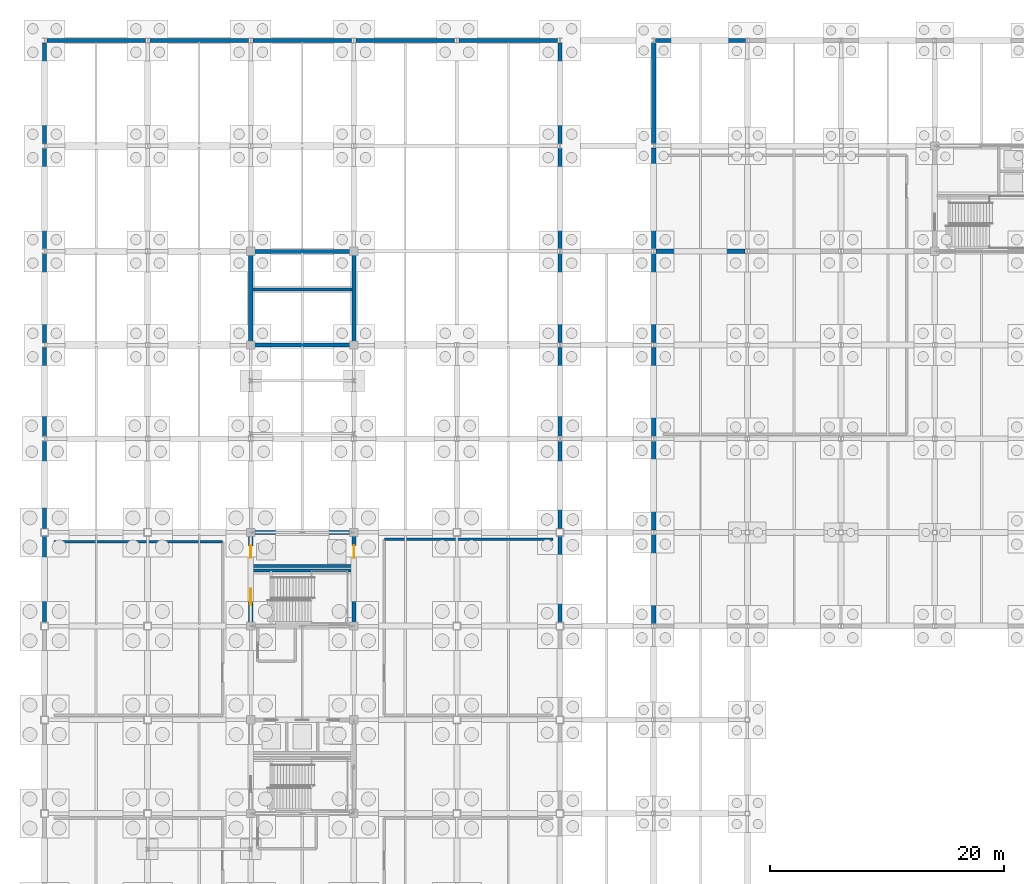
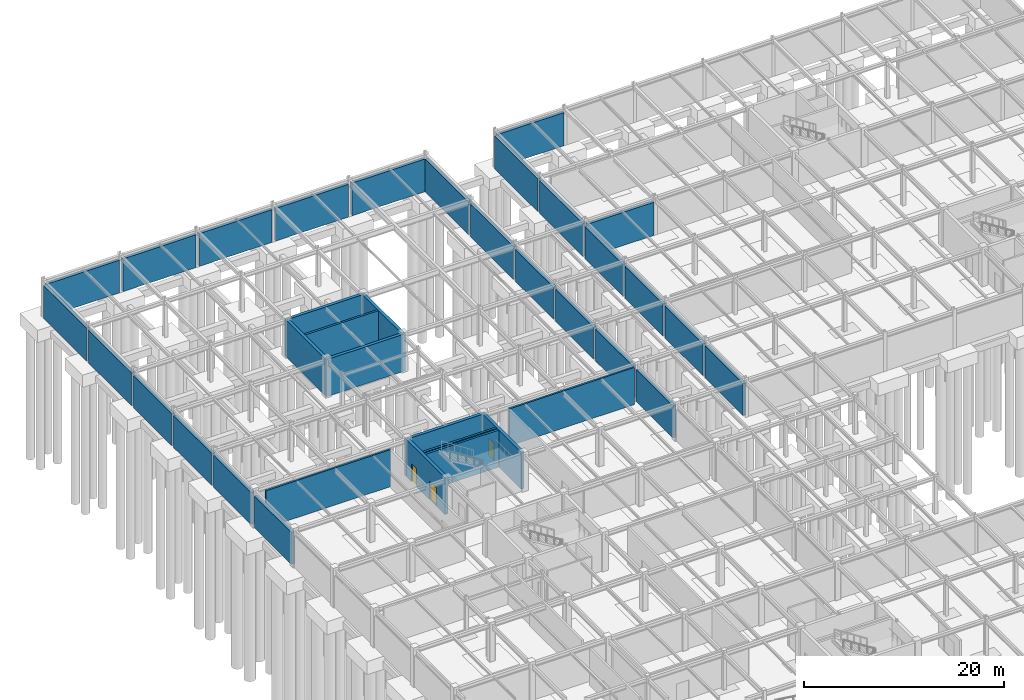
# One storey, part 63 of 72: 37 walls, 3 doors, 3 openings.
"""IFC4 building model written with IfcOpenShell, lengths in metres."""

from ifc_helpers import new_model, si_unit, direction, frame, frame_2d, origin, place, context, subcontext, project, spatial, rectangle, extrude, material, layer, layer_set, type_object, element, fill, save


model = new_model("IFC4")

# Units and contexts
model_context = context("Model", 3, precision=1e-05, world=origin(), true_north=direction((0.0, 1.0)))
body_context = subcontext(model_context, "Body", "Model", "MODEL_VIEW")
ifc_project = project(units=[si_unit("LENGTHUNIT", "METRE"), si_unit("AREAUNIT", "SQUARE_METRE"), si_unit("VOLUMEUNIT", "CUBIC_METRE"), si_unit("PLANEANGLEUNIT", "RADIAN"), si_unit("MASSUNIT", "GRAM", prefix="KILO")], contexts=[model_context])

# Site, building, storey
site_placement = place(None, origin())
site = spatial("IfcSite", under=ifc_project, at=site_placement, CompositionType="ELEMENT")
building_placement = place(site_placement, origin())
building = spatial("IfcBuilding", under=site, at=building_placement, Name="Zhaolan Boulevard Law Courts", CompositionType="ELEMENT")
storey_placement = place(building_placement, frame((0.0, 0.0, -4.800048828125)))
storey = spatial("IfcBuildingStorey", under=building, at=storey_placement, Name="B1", CompositionType="ELEMENT", Elevation=-4.800048828125)

# Wall
ifc_material_1 = material(Name="Concrete C50", Category="concrete")
ifc_layer_1 = layer(ifc_material_1, 0.35009765625)
ifc_layer_set_1 = layer_set([ifc_layer_1])
wall_type_1 = type_object("IfcWallType", Name="CORE SHEAR WALL 350", PredefinedType="SHEAR", material=ifc_layer_set_1)
wall_1_placement = place(storey_placement, frame((26.574951171875, 70.0, 0.0), z_axis=(0.0, 0.0, 1.0), x_axis=(-1.0, 0.0, 0.0)))
element("IfcWall", 1, at=wall_1_placement, inside=storey, type_object=wall_type_1, Name="Core Shear Wall CW-W2-B1N", PredefinedType="SHEAR", context=body_context, shape_type="SweptSolid", body=[
    extrude(rectangle(XDim=9.14990234375, YDim=0.35009765625, at=frame_2d((4.574951171875, 0.0))), origin(), (0.0, 0.0, 1.0), 4.52001953125),
])

# Wall, openings, doors
wall_2_placement = place(storey_placement, frame((17.60009765625, 62.175048828125, 0.0), z_axis=(0.0, 0.0, 1.0), x_axis=(0.0, 1.0, 0.0)))
wall_2 = element("IfcWall", 2, at=wall_2_placement, inside=storey, type_object=wall_type_1, Name="Core Shear Wall CW-W2-B1W", PredefinedType="SHEAR", context=body_context, shape_type="SweptSolid", body=[
    extrude(rectangle(XDim=7.64990234375, YDim=0.35009765625, at=frame_2d((3.824951171875, 0.0))), origin(), (0.0, 0.0, 1.0), 4.52001953125),
])
opening_1_placement = place(wall_2_placement, frame((1.64990234375, 0.0, 0.0)))
opening_1 = element("IfcOpeningElement", 3, at=opening_1_placement, cuts=wall_2, Name="Opening SD-B1-12", PredefinedType="OPENING", context=body_context, shape_type="SweptSolid", body=[
    extrude(rectangle(XDim=1.35009765625, YDim=2.199951171875, at=frame_2d((0.675048828125, 1.10009765625))), frame((0.0, 0.18505859375, 0.0), z_axis=(0.0, -1.0, 0.0), x_axis=(1.0, 0.0, 0.0)), (0.0, 0.0, 1.0), 0.3701171875),
])
opening_2_placement = place(wall_2_placement, frame((5.675048828125, 0.0, 0.0)))
opening_2 = element("IfcOpeningElement", 4, at=opening_2_placement, cuts=wall_2, Name="Opening LD-JL-02-B1", PredefinedType="OPENING", context=body_context, shape_type="SweptSolid", body=[
    extrude(rectangle(XDim=1.0, YDim=2.14990234375, at=frame_2d((0.5, 1.074951171875))), frame((0.0, 0.18505859375, 0.0), z_axis=(0.0, -1.0, 0.0), x_axis=(1.0, 0.0, 0.0)), (0.0, 0.0, 1.0), 0.3701171875),
])
ifc_material_2 = material(Name="Stainless steel sliding landing door", Category="steel")
door_type_1 = type_object("IfcDoorType", Name="LIFT LANDING 1000X2150", OperationType="DOUBLE_DOOR_SLIDING", PredefinedType="DOOR", material=ifc_material_2)
door_1_placement = place(opening_2_placement, origin())
door_1 = element("IfcDoor", 5, at=door_1_placement, inside=storey, type_object=door_type_1, Name="Lift Landing Sliding Door LD-JL-02-B1", OperationType="DOUBLE_DOOR_SLIDING", OverallHeight=2.14990234375, OverallWidth=1.0, PredefinedType="DOOR", context=body_context, shape_type="SweptSolid", body=[
    extrude(rectangle(XDim=1.0, YDim=2.14990234375, at=frame_2d((0.5, 1.074951171875))), frame((0.0, 0.02490234375, 0.0), z_axis=(0.0, -1.0, 0.0), x_axis=(1.0, 0.0, 0.0)), (0.0, 0.0, 1.0), 0.050048828125),
])
fill(opening_2, door_1)
ifc_material_3 = material(Name="Fire-rated steel acoustic door", Category="steel")
door_type_2 = type_object("IfcDoorType", Name="STAIR FIRE 1350X2200 R", OperationType="SINGLE_SWING_RIGHT", PredefinedType="DOOR", material=ifc_material_3)
door_2_placement = place(opening_1_placement, origin())
door_2 = element("IfcDoor", 6, at=door_2_placement, inside=storey, type_object=door_type_2, Name="Smoke-Proof Stairwell Fire Door SD-B1-12", OperationType="SINGLE_SWING_RIGHT", OverallHeight=2.199951171875, OverallWidth=1.35009765625, PredefinedType="DOOR", context=body_context, shape_type="SweptSolid", body=[
    extrude(rectangle(XDim=1.35009765625, YDim=2.199951171875, at=frame_2d((0.675048828125, 1.10009765625))), frame((0.0, 0.02490234375, 0.0), z_axis=(0.0, -1.0, 0.0), x_axis=(1.0, 0.0, 0.0)), (0.0, 0.0, 1.0), 0.050048828125),
])
fill(opening_1, door_2)

# Wall, opening, door
wall_3_placement = place(storey_placement, frame((26.39990234375, 62.175048828125, 0.0), z_axis=(0.0, 0.0, 1.0), x_axis=(0.0, 1.0, 0.0)))
wall_3 = element("IfcWall", 7, at=wall_3_placement, inside=storey, type_object=wall_type_1, Name="Core Shear Wall CW-W2-B1E", PredefinedType="SHEAR", context=body_context, shape_type="SweptSolid", body=[
    extrude(rectangle(XDim=7.64990234375, YDim=0.35009765625, at=frame_2d((3.824951171875, 0.0))), origin(), (0.0, 0.0, 1.0), 4.52001953125),
])
opening_3_placement = place(wall_3_placement, frame((5.625, 0.0, 0.0)))
opening_3 = element("IfcOpeningElement", 8, at=opening_3_placement, cuts=wall_3, Name="Opening LD-FL-03-B1", PredefinedType="OPENING", context=body_context, shape_type="SweptSolid", body=[
    extrude(rectangle(XDim=1.10009765625, YDim=2.14990234375, at=frame_2d((0.550048828125, 1.074951171875))), frame((0.0, 0.18505859375, 0.0), z_axis=(0.0, -1.0, 0.0), x_axis=(1.0, 0.0, 0.0)), (0.0, 0.0, 1.0), 0.3701171875),
])
ifc_material_4 = material(Name="Stainless steel sliding landing door", Category="steel")
door_type_3 = type_object("IfcDoorType", Name="LIFT LANDING 1100X2150", OperationType="DOUBLE_DOOR_SLIDING", PredefinedType="DOOR", material=ifc_material_4)
door_3_placement = place(opening_3_placement, origin())
door_3 = element("IfcDoor", 9, at=door_3_placement, inside=storey, type_object=door_type_3, Name="Lift Landing Sliding Door LD-FL-03-B1", OperationType="DOUBLE_DOOR_SLIDING", OverallHeight=2.14990234375, OverallWidth=1.10009765625, PredefinedType="DOOR", context=body_context, shape_type="SweptSolid", body=[
    extrude(rectangle(XDim=1.10009765625, YDim=2.14990234375, at=frame_2d((0.550048828125, 1.074951171875))), frame((0.0, 0.02490234375, 0.0), z_axis=(0.0, -1.0, 0.0), x_axis=(1.0, 0.0, 0.0)), (0.0, 0.0, 1.0), 0.050048828125),
])
fill(opening_3, door_3)

# Walls
for number, where, z_axis, x_axis, name in (
    (10, (17.425048828125, 86.0, 0.0), (0.0, 0.0, 1.0), (1.0, 0.0, 0.0), "Core Shear Wall CW-L1-B1S"),
    (11, (26.574951171875, 94.0, 0.0), (0.0, 0.0, 1.0), (-1.0, 0.0, 0.0), "Core Shear Wall CW-L1-B1N"),
):
    element("IfcWall", number, at=place(storey_placement, frame(where, z_axis=z_axis, x_axis=x_axis)), inside=storey, type_object=wall_type_1, Name=name, PredefinedType="SHEAR", context=body_context, shape_type="SweptSolid", body=[
        extrude(rectangle(XDim=9.14990234375, YDim=0.35009765625, at=frame_2d((4.574951171875, 0.0))), origin(), (0.0, 0.0, 1.0), 4.52001953125),
    ])
for number, where, z_axis, x_axis, name in (
    (12, (17.60009765625, 86.175048828125, 0.0), (0.0, 0.0, 1.0), (0.0, 1.0, 0.0), "Core Shear Wall CW-L1-B1W"),
    (13, (26.39990234375, 86.175048828125, 0.0), (0.0, 0.0, 1.0), (0.0, 1.0, 0.0), "Core Shear Wall CW-L1-B1E"),
):
    element("IfcWall", number, at=place(storey_placement, frame(where, z_axis=z_axis, x_axis=x_axis)), inside=storey, type_object=wall_type_1, Name=name, PredefinedType="SHEAR", context=body_context, shape_type="SweptSolid", body=[
        extrude(rectangle(XDim=7.64990234375, YDim=0.35009765625, at=frame_2d((3.824951171875, 0.0))), origin(), (0.0, 0.0, 1.0), 4.52001953125),
    ])
ifc_material_5 = material(Name="Concrete C40", Category="concrete")
ifc_layer_2 = layer(ifc_material_5, 0.360107421875)
ifc_layer_set_2 = layer_set([ifc_layer_2])
wall_type_2 = type_object("IfcWallType", Name="EXT WALL RETAINING360", PredefinedType="USERDEFINED", material=ifc_layer_set_2)
wall_4_placement = place(storey_placement, frame((0.0, 69.678955078125, 0.0), z_axis=(0.0, 0.0, 1.0), x_axis=(0.0, -1.0, 0.0)))
element("IfcWall", 14, at=wall_4_placement, inside=storey, type_object=wall_type_2, Name="Exterior Wall EW-B1-053", ObjectType="RETAININGWALL", PredefinedType="USERDEFINED", context=body_context, shape_type="SweptSolid", body=[
    extrude(rectangle(XDim=7.35791015625, YDim=0.360107421875, at=frame_2d((3.678955078125, 0.0))), origin(), (0.0, 0.0, 1.0), 3.883056640625),
])
wall_5_placement = place(storey_placement, frame((0.0, 77.803955078125, 0.0), z_axis=(0.0, 0.0, 1.0), x_axis=(0.0, -1.0, 0.0)))
element("IfcWall", 15, at=wall_5_placement, inside=storey, type_object=wall_type_2, Name="Exterior Wall EW-B1-054", ObjectType="RETAININGWALL", PredefinedType="USERDEFINED", context=body_context, shape_type="SweptSolid", body=[
    extrude(rectangle(XDim=7.48291015625, YDim=0.360107421875, at=frame_2d((3.741455078125, 0.0))), origin(), (0.0, 0.0, 1.0), 3.883056640625),
])
wall_6_placement = place(storey_placement, frame((44.0, 62.321044921875, 0.0), z_axis=(0.0, 0.0, 1.0), x_axis=(0.0, 1.0, 0.0)))
element("IfcWall", 16, at=wall_6_placement, inside=storey, type_object=wall_type_2, Name="Exterior Wall EW-B1-059", ObjectType="RETAININGWALL", PredefinedType="USERDEFINED", context=body_context, shape_type="SweptSolid", body=[
    extrude(rectangle(XDim=7.35791015625, YDim=0.360107421875, at=frame_2d((3.678955078125, 0.0))), origin(), (0.0, 0.0, 1.0), 3.883056640625),
])
wall_7_placement = place(storey_placement, frame((44.0, 70.321044921875, 0.0), z_axis=(0.0, 0.0, 1.0), x_axis=(0.0, 1.0, 0.0)))
element("IfcWall", 17, at=wall_7_placement, inside=storey, type_object=wall_type_2, Name="Exterior Wall EW-B1-060", ObjectType="RETAININGWALL", PredefinedType="USERDEFINED", context=body_context, shape_type="SweptSolid", body=[
    extrude(rectangle(XDim=7.48291015625, YDim=0.360107421875, at=frame_2d((3.741455078125, 0.0))), origin(), (0.0, 0.0, 1.0), 3.883056640625),
])
for number, where, z_axis, x_axis, name in (
    (18, (8.60400390625, 112.0, 0.0), (0.0, 0.0, 1.0), (-1.0, 0.0, 0.0), "Exterior Wall EW-B1-061"),
    (19, (17.404052734375, 112.0, 0.0), (0.0, 0.0, 1.0), (-1.0, 0.0, 0.0), "Exterior Wall EW-B1-062"),
):
    element("IfcWall", number, at=place(storey_placement, frame(where, z_axis=z_axis, x_axis=x_axis)), inside=storey, type_object=wall_type_2, Name=name, ObjectType="RETAININGWALL", PredefinedType="USERDEFINED", context=body_context, shape_type="SweptSolid", body=[
        extrude(rectangle(XDim=8.407958984375, YDim=0.360107421875, at=frame_2d((4.2041015625, 0.0))), origin(), (0.0, 0.0, 1.0), 3.9951171875),
    ])
wall_8_placement = place(storey_placement, frame((26.2041015625, 112.0, 0.0), z_axis=(0.0, 0.0, 1.0), x_axis=(-1.0, 0.0, 0.0)))
element("IfcWall", 20, at=wall_8_placement, inside=storey, type_object=wall_type_2, Name="Exterior Wall EW-B1-063", ObjectType="RETAININGWALL", PredefinedType="USERDEFINED", context=body_context, shape_type="SweptSolid", body=[
    extrude(rectangle(XDim=8.408203125, YDim=0.360107421875, at=frame_2d((4.2041015625, 0.0))), origin(), (0.0, 0.0, 1.0), 3.9951171875),
])
for number, where, z_axis, x_axis, name in (
    (21, (35.00390625, 112.0, 0.0), (0.0, 0.0, 1.0), (-1.0, 0.0, 0.0), "Exterior Wall EW-B1-064"),
    (22, (43.803955078125, 112.0, 0.0), (0.0, 0.0, 1.0), (-1.0, 0.0, 0.0), "Exterior Wall EW-B1-065"),
):
    element("IfcWall", number, at=place(storey_placement, frame(where, z_axis=z_axis, x_axis=x_axis)), inside=storey, type_object=wall_type_2, Name=name, ObjectType="RETAININGWALL", PredefinedType="USERDEFINED", context=body_context, shape_type="SweptSolid", body=[
        extrude(rectangle(XDim=8.407958984375, YDim=0.360107421875, at=frame_2d((4.2041015625, 0.0))), origin(), (0.0, 0.0, 1.0), 3.9951171875),
    ])
for number, where, z_axis, x_axis, name in (
    (23, (0.0, 85.803955078125, 0.0), (0.0, 0.0, 1.0), (0.0, -1.0, 0.0), "Exterior Wall EW-B1-066"),
    (24, (0.0, 93.803955078125, 0.0), (0.0, 0.0, 1.0), (0.0, -1.0, 0.0), "Exterior Wall EW-B1-067"),
):
    element("IfcWall", number, at=place(storey_placement, frame(where, z_axis=z_axis, x_axis=x_axis)), inside=storey, type_object=wall_type_2, Name=name, ObjectType="RETAININGWALL", PredefinedType="USERDEFINED", context=body_context, shape_type="SweptSolid", body=[
        extrude(rectangle(XDim=7.60791015625, YDim=0.360107421875, at=frame_2d((3.803955078125, 0.0))), origin(), (0.0, 0.0, 1.0), 3.883056640625),
    ])
for number, where, z_axis, x_axis, name in (
    (25, (0.0, 102.803955078125, 0.0), (0.0, 0.0, 1.0), (0.0, -1.0, 0.0), "Exterior Wall EW-B1-068"),
    (26, (0.0, 111.803955078125, 0.0), (0.0, 0.0, 1.0), (0.0, -1.0, 0.0), "Exterior Wall EW-B1-069"),
):
    element("IfcWall", number, at=place(storey_placement, frame(where, z_axis=z_axis, x_axis=x_axis)), inside=storey, type_object=wall_type_2, Name=name, ObjectType="RETAININGWALL", PredefinedType="USERDEFINED", context=body_context, shape_type="SweptSolid", body=[
        extrude(rectangle(XDim=8.60791015625, YDim=0.360107421875, at=frame_2d((4.303955078125, 0.0))), origin(), (0.0, 0.0, 1.0), 4.0009765625),
    ])
for number, where, z_axis, x_axis, name in (
    (27, (44.0, 78.196044921875, 0.0), (0.0, 0.0, 1.0), (0.0, 1.0, 0.0), "Exterior Wall EW-B1-070"),
    (28, (44.0, 86.196044921875, 0.0), (0.0, 0.0, 1.0), (0.0, 1.0, 0.0), "Exterior Wall EW-B1-071"),
):
    element("IfcWall", number, at=place(storey_placement, frame(where, z_axis=z_axis, x_axis=x_axis)), inside=storey, type_object=wall_type_2, Name=name, ObjectType="RETAININGWALL", PredefinedType="USERDEFINED", context=body_context, shape_type="SweptSolid", body=[
        extrude(rectangle(XDim=7.60791015625, YDim=0.360107421875, at=frame_2d((3.803955078125, 0.0))), origin(), (0.0, 0.0, 1.0), 3.883056640625),
    ])
for number, where, z_axis, x_axis, name in (
    (29, (44.0, 94.196044921875, 0.0), (0.0, 0.0, 1.0), (0.0, 1.0, 0.0), "Exterior Wall EW-B1-072"),
    (30, (44.0, 103.196044921875, 0.0), (0.0, 0.0, 1.0), (0.0, 1.0, 0.0), "Exterior Wall EW-B1-073"),
):
    element("IfcWall", number, at=place(storey_placement, frame(where, z_axis=z_axis, x_axis=x_axis)), inside=storey, type_object=wall_type_2, Name=name, ObjectType="RETAININGWALL", PredefinedType="USERDEFINED", context=body_context, shape_type="SweptSolid", body=[
        extrude(rectangle(XDim=8.60791015625, YDim=0.360107421875, at=frame_2d((4.303955078125, 0.0))), origin(), (0.0, 0.0, 1.0), 4.0009765625),
    ])
wall_9_placement = place(storey_placement, frame((59.803955078125, 94.0, 0.0), z_axis=(0.0, 0.0, 1.0), x_axis=(-1.0, 0.0, 0.0)))
element("IfcWall", 31, at=wall_9_placement, inside=storey, type_object=wall_type_2, Name="Exterior Wall EW-B1-088", ObjectType="RETAININGWALL", PredefinedType="USERDEFINED", context=body_context, shape_type="SweptSolid", body=[
    extrude(rectangle(XDim=7.60791015625, YDim=0.360107421875, at=frame_2d((3.803955078125, 0.0))), origin(), (0.0, 0.0, 1.0), 4.04296875),
])
for number, where, z_axis, x_axis, name in (
    (32, (52.0, 69.803955078125, 0.0), (0.0, 0.0, 1.0), (0.0, -1.0, 0.0), "Exterior Wall EW-B1-101"),
    (33, (52.0, 77.803955078125, 0.0), (0.0, 0.0, 1.0), (0.0, -1.0, 0.0), "Exterior Wall EW-B1-102"),
    (34, (52.0, 85.803955078125, 0.0), (0.0, 0.0, 1.0), (0.0, -1.0, 0.0), "Exterior Wall EW-B1-103"),
    (35, (52.0, 93.803955078125, 0.0), (0.0, 0.0, 1.0), (0.0, -1.0, 0.0), "Exterior Wall EW-B1-104"),
):
    element("IfcWall", number, at=place(storey_placement, frame(where, z_axis=z_axis, x_axis=x_axis)), inside=storey, type_object=wall_type_2, Name=name, ObjectType="RETAININGWALL", PredefinedType="USERDEFINED", context=body_context, shape_type="SweptSolid", body=[
        extrude(rectangle(XDim=7.60791015625, YDim=0.360107421875, at=frame_2d((3.803955078125, 0.0))), origin(), (0.0, 0.0, 1.0), 3.883056640625),
    ])
wall_10_placement = place(storey_placement, frame((59.8291015625, 112.0, 0.0), z_axis=(0.0, 0.0, 1.0), x_axis=(-1.0, 0.0, 0.0)))
element("IfcWall", 36, at=wall_10_placement, inside=storey, type_object=wall_type_2, Name="Exterior Wall EW-B1-109", ObjectType="RETAININGWALL", PredefinedType="USERDEFINED", context=body_context, shape_type="SweptSolid", body=[
    extrude(rectangle(XDim=7.658203125, YDim=0.360107421875, at=frame_2d((3.8291015625, 0.0))), origin(), (0.0, 0.0, 1.0), 4.04296875),
])
wall_11_placement = place(storey_placement, frame((52.0, 102.8291015625, 0.0), z_axis=(0.0, 0.0, 1.0), x_axis=(0.0, -1.0, 0.0)))
element("IfcWall", 37, at=wall_11_placement, inside=storey, type_object=wall_type_2, Name="Exterior Wall EW-B1-116", ObjectType="RETAININGWALL", PredefinedType="USERDEFINED", context=body_context, shape_type="SweptSolid", body=[
    extrude(rectangle(XDim=8.633056640625, YDim=0.360107421875, at=frame_2d((4.31640625, 0.0))), origin(), (0.0, 0.0, 1.0), 4.0009765625),
])
wall_12_placement = place(storey_placement, frame((52.0, 111.8291015625, 0.0), z_axis=(0.0, 0.0, 1.0), x_axis=(0.0, -1.0, 0.0)))
element("IfcWall", 38, at=wall_12_placement, inside=storey, type_object=wall_type_2, Name="Exterior Wall EW-B1-117", ObjectType="RETAININGWALL", PredefinedType="USERDEFINED", context=body_context, shape_type="SweptSolid", body=[
    extrude(rectangle(XDim=8.658203125, YDim=0.360107421875, at=frame_2d((4.3291015625, 0.0))), origin(), (0.0, 0.0, 1.0), 4.0009765625),
])
ifc_material_6 = material(Name="Concrete C50", Category="concrete")
ifc_layer_3 = layer(ifc_material_6, 0.239990234375)
ifc_layer_set_3 = layer_set([ifc_layer_3])
wall_type_3 = type_object("IfcWallType", Name="LIFT SHAFT WALL 240", PredefinedType="SHEAR", material=ifc_layer_set_3)
wall_13_placement = place(storey_placement, frame((17.77490234375, 67.1298828125, 0.0), z_axis=(0.0, 0.0, 1.0), x_axis=(1.0, 0.0, 0.0)))
element("IfcWall", 39, at=wall_13_placement, inside=storey, type_object=wall_type_3, Name="Lift Shaft Enclosure Wall W2 (B1)", PredefinedType="SHEAR", context=body_context, shape_type="SweptSolid", body=[
    extrude(rectangle(XDim=8.4501953125, YDim=0.239990234375, at=frame_2d((4.22509765625, 0.0))), origin(), (0.0, 0.0, 1.0), 4.52001953125),
])
ifc_material_7 = material(Name="Concrete C40", Category="concrete")
ifc_layer_4 = layer(ifc_material_7, 0.2099609375)
ifc_layer_set_4 = layer_set([ifc_layer_4])
wall_type_4 = type_object("IfcWallType", Name="PART WALL CUSTODY210", PredefinedType="PARTITIONING", material=ifc_layer_set_4)
for number, where, z_axis, x_axis, name in (
    (40, (15.199951171875, 69.199951171875, 0.0), (0.0, 0.0, 1.0), (-1.0, 0.0, 0.0), "Interior Partition PW-B1-219"),
    (41, (43.39990234375, 69.39990234375, 0.0), (0.0, 0.0, 1.0), (-1.0, 0.0, 0.0), "Interior Partition PW-B1-224"),
):
    element("IfcWall", number, at=place(storey_placement, frame(where, z_axis=z_axis, x_axis=x_axis)), inside=storey, type_object=wall_type_4, Name=name, PredefinedType="PARTITIONING", context=body_context, shape_type="SweptSolid", body=[
        extrude(rectangle(XDim=14.39990234375, YDim=0.2099609375, at=frame_2d((7.199951171875, 0.0))), origin(), (0.0, 0.0, 1.0), 4.52001953125),
    ])
ifc_material_8 = material(Name="Concrete C50", Category="concrete")
ifc_layer_5 = layer(ifc_material_8, 0.239990234375)
ifc_layer_set_5 = layer_set([ifc_layer_5])
wall_type_5 = type_object("IfcWallType", Name="STAIR WELL WALL 240", PredefinedType="SHEAR", material=ifc_layer_set_5)
for number, where, z_axis, x_axis, name in (
    (42, (17.77490234375, 66.75, 0.0), (0.0, 0.0, 1.0), (1.0, 0.0, 0.0), "Stairwell Divider Shear Wall ST02-B1N"),
    (43, (17.77490234375, 90.75, 0.0), (0.0, 0.0, 1.0), (1.0, 0.0, 0.0), "Stairwell Divider Shear Wall ST10-B1N"),
):
    element("IfcWall", number, at=place(storey_placement, frame(where, z_axis=z_axis, x_axis=x_axis)), inside=storey, type_object=wall_type_5, Name=name, PredefinedType="SHEAR", context=body_context, shape_type="SweptSolid", body=[
        extrude(rectangle(XDim=8.4501953125, YDim=0.239990234375, at=frame_2d((4.22509765625, 0.0))), origin(), (0.0, 0.0, 1.0), 4.52001953125),
    ])

save(model, "model.ifc")
